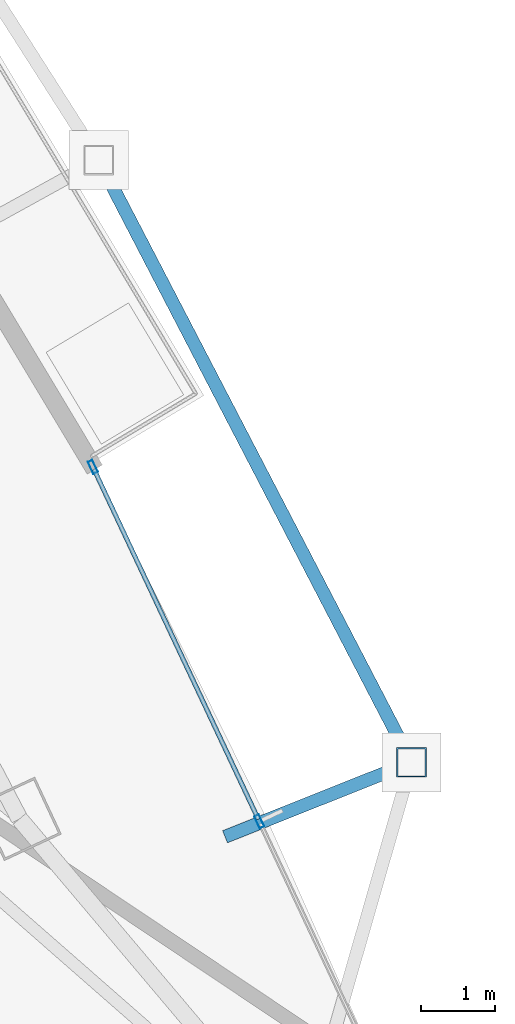
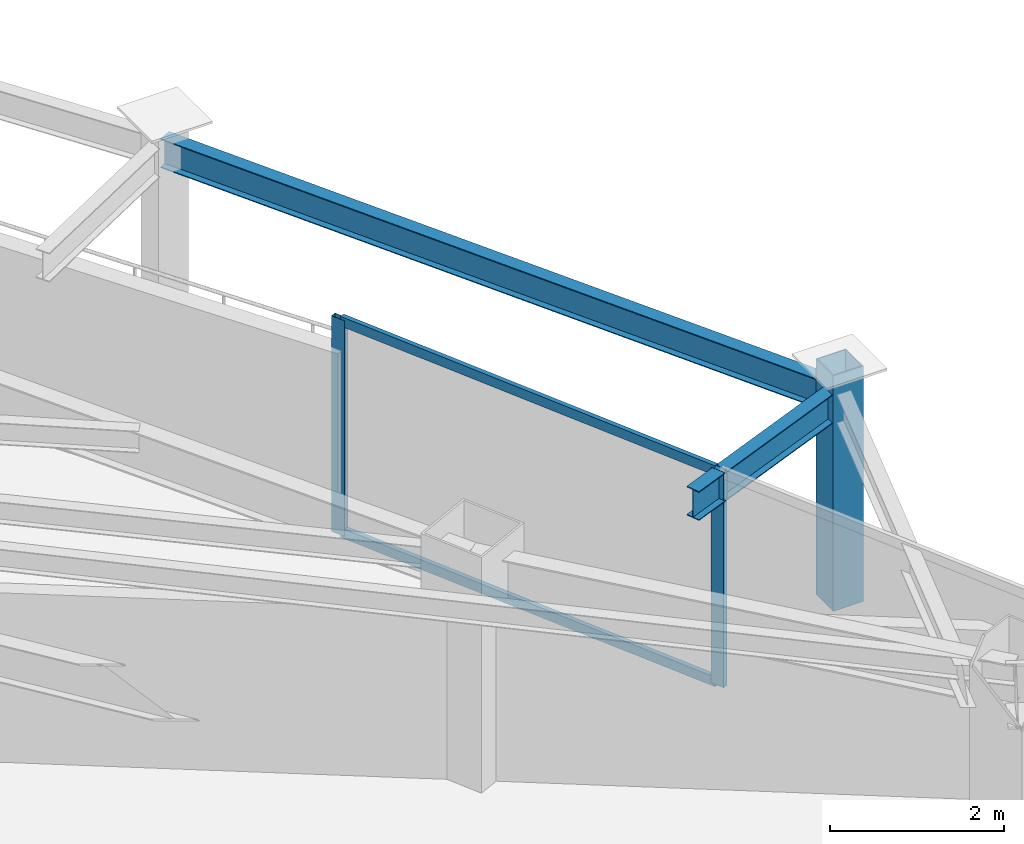
# One storey, part 19 of 31: 5 members, 2 beams, 1 element without a shape of its own.
"""IFC4 building model written with IfcOpenShell, lengths in metres."""

from ifc_helpers import new_model, si_unit, direction, frame, origin, origin_2d, place, context, subcontext, project, spatial, hollow_rectangle, i_section, extrude, material, layer, layer_set, material_profile, profile_set, type_object, element, aggregate, save


model = new_model("IFC4")

# Units and contexts
model_context = context("Model", 3, precision=1e-05, world=origin(), true_north=direction((0.0, 1.0)))
body_context = subcontext(model_context, "Body", "Model", "MODEL_VIEW")
ifc_project = project(units=[si_unit("LENGTHUNIT", "METRE"), si_unit("AREAUNIT", "SQUARE_METRE"), si_unit("VOLUMEUNIT", "CUBIC_METRE"), si_unit("PLANEANGLEUNIT", "RADIAN"), si_unit("MASSUNIT", "GRAM", prefix="KILO")], contexts=[model_context])

# Site, building, storey
site_placement = place(None, origin())
site = spatial("IfcSite", under=ifc_project, at=site_placement, CompositionType="ELEMENT")
building_placement = place(site_placement, origin())
building = spatial("IfcBuilding", under=site, at=building_placement, Name="Orvanel Arch Residences", CompositionType="ELEMENT")
storey_placement = place(building_placement, frame((0.0, 0.0, 183.64990234375)))
storey = spatial("IfcBuildingStorey", under=building, at=storey_placement, Name="L52", CompositionType="ELEMENT", Elevation=183.64990234375)

# Curtain wall, members
ifc_material_1 = material(Name="Bronze-anodised aluminium AA6063-T6", Category="aluminium")
ifc_layer = layer(ifc_material_1, 0.179931640625)
ifc_layer_set = layer_set([ifc_layer], Name="Bronze-anodised aluminium AA6063-T6")
curtain_wall_type = type_object("IfcCurtainWallType", Name="CW3-MID-SYS", PredefinedType="NOTDEFINED", material=ifc_layer_set)
curtain_wall_placement = place(storey_placement, origin())
curtain_wall = element("IfcCurtainWall", 1, at=curtain_wall_placement, inside=storey, type_object=curtain_wall_type, Name="L52 CW3-MID-SYS Unitised Curtain Wall", PredefinedType="NOTDEFINED")
ifc_material_profile_1 = material_profile(ifc_material_1, hollow_rectangle(XDim=0.070068359375, YDim=0.179931640625, WallThickness=0.00439453125, at=origin_2d()), Name="ALU180x70x4.5")
ifc_profile_set_1 = profile_set([ifc_material_profile_1], Name="Bronze-anodised aluminium AA6063-T6")
member_type_1 = type_object("IfcMemberType", Name="MUL-180x70", PredefinedType="MULLION", material=ifc_profile_set_1)
member_1_placement = place(storey_placement, frame((52.87939453125, 19.607421875, 0.0), z_axis=(0.0, 0.0, 1.0), x_axis=(-0.905189876787, -0.425007396362, 0.0)))
member_1 = element("IfcMember", 2, at=member_1_placement, type_object=member_type_1, Name="CW-S3 mullion 2", PredefinedType="MULLION", context=body_context, shape_type="SweptSolid", body=[
    extrude(hollow_rectangle(XDim=0.070068359375, YDim=0.179931640625, WallThickness=0.00439453125, at=origin_2d()), origin(), (0.0, 0.0, 1.0), 3.02001953125),
])
member_2_placement = place(storey_placement, frame((50.6259765625, 24.4072265625, 0.0), z_axis=(0.0, 0.0, 1.0), x_axis=(-0.905189876787, -0.425007396362, 0.0)))
member_2 = element("IfcMember", 3, at=member_2_placement, type_object=member_type_1, Name="CW-S3 mullion 3", PredefinedType="MULLION", context=body_context, shape_type="SweptSolid", body=[
    extrude(hollow_rectangle(XDim=0.070068359375, YDim=0.179931640625, WallThickness=0.00439453125, at=origin_2d()), origin(), (0.0, 0.0, 1.0), 3.02001953125),
])

# Beams
ifc_material_2 = material(Name="Structural steel AS/NZS 3679.1 Grade 300 (300 MPa)", Category="steel")
ifc_material_profile_2 = material_profile(ifc_material_2, i_section(OverallWidth=0.177978515625, OverallDepth=0.406005859375, WebThickness=0.0078125, FlangeThickness=0.0126953125, at=origin_2d()), Name="410UB59.7")
ifc_profile_set_2 = profile_set([ifc_material_profile_2], Name="Structural steel AS/NZS 3679.1 Grade 300 (300 MPa)")
beam_type = type_object("IfcBeamType", Name="OB-410UB-EXT", PredefinedType="SPANDREL", material=ifc_profile_set_2)
beam_1_placement = place(storey_placement, frame((52.4150390625, 19.39990234375, 2.817138671875), z_axis=(0.928841685678, 0.370476885846, 0.0), x_axis=(-0.370476885846, 0.928841685678, 0.0)))
element("IfcBeam", 4, at=beam_1_placement, inside=storey, type_object=beam_type, Name="L52 Outer Frame Radial Tie Beam 09", PredefinedType="SPANDREL", context=body_context, shape_type="SweptSolid", body=[
    extrude(i_section(OverallWidth=0.177978515625, OverallDepth=0.406005859375, WebThickness=0.0078125, FlangeThickness=0.0126953125, at=origin_2d()), origin(), (0.0, 0.0, 1.0), 2.71826171875),
])
beam_2_placement = place(storey_placement, frame((54.93994140625, 20.406982421875, 2.817138671875), z_axis=(-0.460863171499, 0.887471203564, 0.0), x_axis=(-0.887471203564, -0.460863171499, 0.0)))
element("IfcBeam", 5, at=beam_2_placement, inside=storey, type_object=beam_type, Name="L52 Outer Perimeter Floor Ring Beam 09", PredefinedType="SPANDREL", context=body_context, shape_type="SweptSolid", body=[
    extrude(i_section(OverallWidth=0.177978515625, OverallDepth=0.406005859375, WebThickness=0.0078125, FlangeThickness=0.0126953125, at=origin_2d()), origin(), (0.0, 0.0, 1.0), 9.186767578125),
])

# Member
ifc_material_3 = material(Name="Structural steel AS/NZS 1163 C450L0 (Grade 450)", Category="steel")
ifc_material_profile_3 = material_profile(ifc_material_3, hollow_rectangle(XDim=0.39990234375, YDim=0.39990234375, WallThickness=0.01611328125, at=origin_2d()), Name="SHS400x400x16")
ifc_profile_set_3 = profile_set([ifc_material_profile_3], Name="Structural steel AS/NZS 1163 C450L0 (Grade 450)")
member_type_2 = type_object("IfcMemberType", Name="ST-400SHS-EXT", PredefinedType="STRUT", material=ifc_profile_set_3)
member_3_placement = place(storey_placement, frame((54.93994140625, 20.406982421875, 0.0), z_axis=(0.0, 0.0, 1.0), x_axis=(1.0, 0.0, 0.0)))
element("IfcMember", 6, at=member_3_placement, inside=storey, type_object=member_type_2, Name="L52 Outer Perimeter Frame Post 09", PredefinedType="STRUT", context=body_context, shape_type="SweptSolid", body=[
    extrude(hollow_rectangle(XDim=0.39990234375, YDim=0.39990234375, WallThickness=0.01611328125, at=origin_2d()), origin(), (0.0, 0.0, 1.0), 3.300048828125),
])

ifc_material_profile_4 = material_profile(ifc_material_1, hollow_rectangle(XDim=0.06005859375, YDim=0.135009765625, WallThickness=0.00390625, at=origin_2d()), Name="ALU135x60x4")
ifc_profile_set_4 = profile_set([ifc_material_profile_4], Name="Bronze-anodised aluminium AA6063-T6")
member_type_3 = type_object("IfcMemberType", Name="TRN-135x60", PredefinedType="USERDEFINED", material=ifc_profile_set_4)
member_4_placement = place(storey_placement, frame((52.86474609375, 19.63916015625, 0.030029296875), z_axis=(-0.424999206881, 0.905193721891, 0.0), x_axis=(-0.905193721891, -0.424999206881, 0.0)))
member_4 = element("IfcMember", 7, at=member_4_placement, type_object=member_type_3, Name="CW-S3 transom 2.1", ObjectType="TRANSOM", PredefinedType="USERDEFINED", context=body_context, shape_type="SweptSolid", body=[
    extrude(hollow_rectangle(XDim=0.06005859375, YDim=0.135009765625, WallThickness=0.00390625, at=origin_2d()), origin(), (0.0, 0.0, 1.0), 5.232666015625),
])

member_5_placement = place(storey_placement, frame((52.86474609375, 19.63916015625, 2.989990234375), z_axis=(-0.424999206881, 0.905193721891, 0.0), x_axis=(-0.905193721891, -0.424999206881, 0.0)))
member_5 = element("IfcMember", 8, at=member_5_placement, type_object=member_type_3, Name="CW-S3 transom 2.2", ObjectType="TRANSOM", PredefinedType="USERDEFINED", context=body_context, shape_type="SweptSolid", body=[
    extrude(hollow_rectangle(XDim=0.06005859375, YDim=0.135009765625, WallThickness=0.00390625, at=origin_2d()), origin(), (0.0, 0.0, 1.0), 5.232666015625),
])

aggregate(curtain_wall, [member_1, member_2, member_4, member_5])

save(model, "model.ifc")
